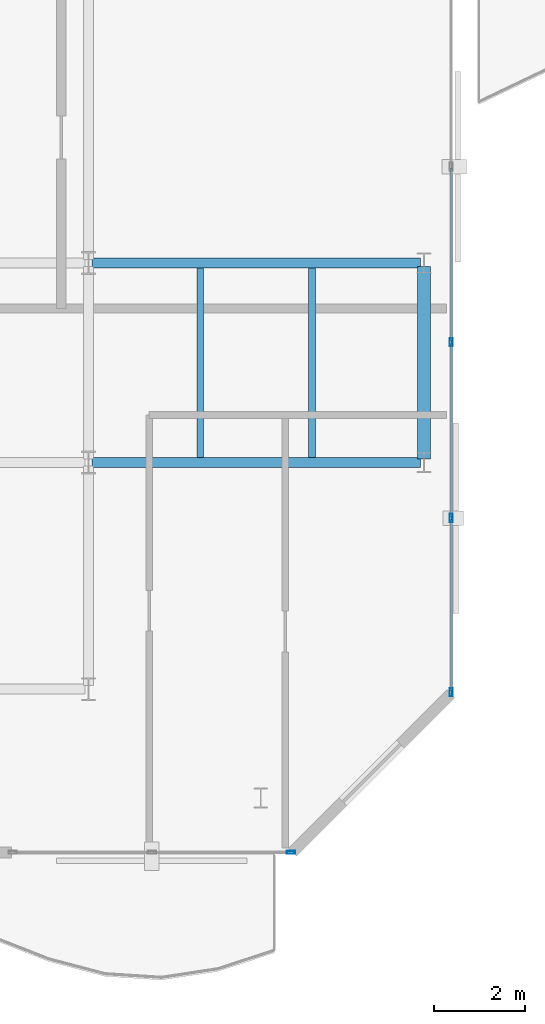
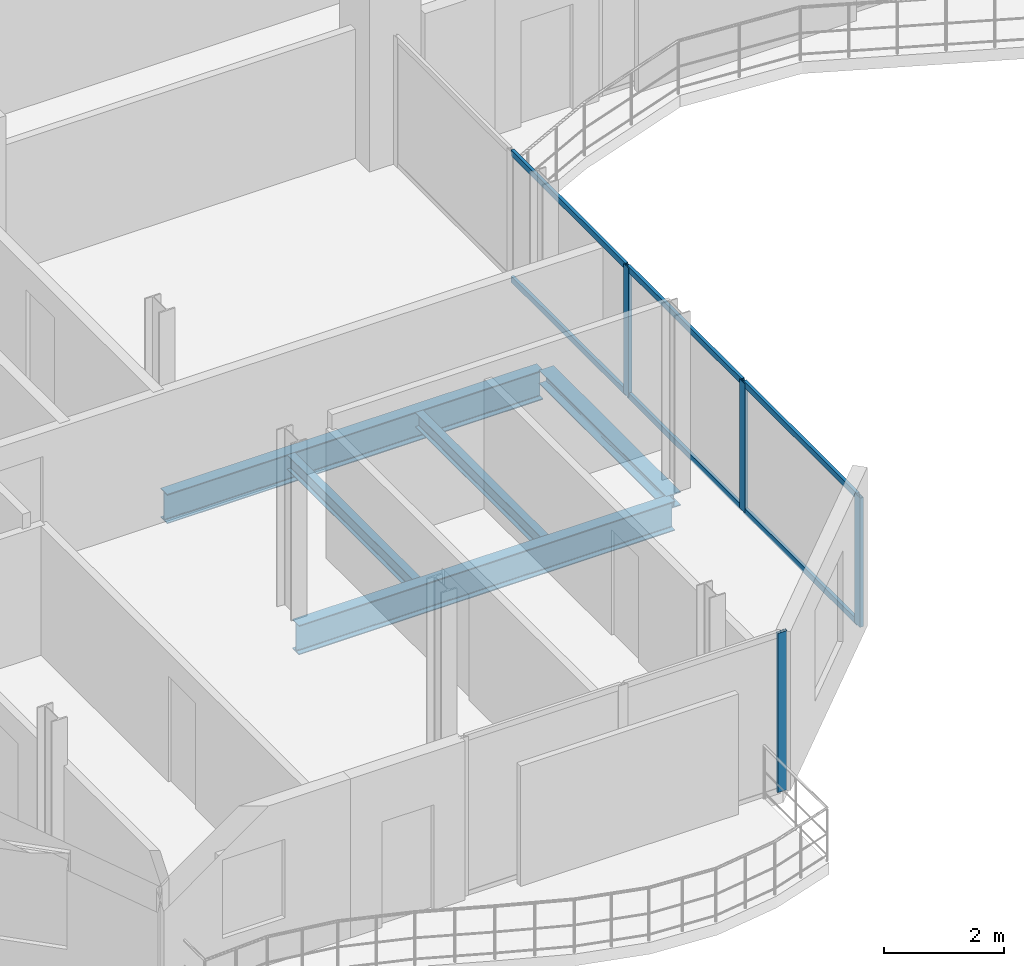
# One storey, part 6 of 23: 10 members, 5 beams, 2 elements without a shape of their own.
"""IFC4 building model written with IfcOpenShell, lengths in metres."""

from ifc_helpers import new_model, si_unit, direction, frame, origin, origin_2d, place, context, subcontext, project, spatial, hollow_rectangle, i_section, extrude, material, layer, layer_set, material_profile, profile_set, type_object, element, aggregate, save


model = new_model("IFC4")

# Units and contexts
model_context = context("Model", 3, precision=1e-05, world=origin(), true_north=direction((0.0, 1.0)))
body_context = subcontext(model_context, "Body", "Model", "MODEL_VIEW")
ifc_project = project(units=[si_unit("LENGTHUNIT", "METRE"), si_unit("AREAUNIT", "SQUARE_METRE"), si_unit("VOLUMEUNIT", "CUBIC_METRE"), si_unit("PLANEANGLEUNIT", "RADIAN"), si_unit("MASSUNIT", "GRAM", prefix="KILO")], contexts=[model_context])

# Site, building, storey
site_placement = place(None, origin())
site = spatial("IfcSite", under=ifc_project, at=site_placement, CompositionType="ELEMENT")
building_placement = place(site_placement, origin())
building = spatial("IfcBuilding", under=site, at=building_placement, Name="Catumbela Crestline Tower", CompositionType="ELEMENT")
storey_placement = place(building_placement, frame((0.0, 0.0, 204.6)))
storey = spatial("IfcBuildingStorey", under=building, at=storey_placement, Name="L53", CompositionType="ELEMENT", Elevation=204.6)

# Beams
ifc_material_1 = material(Name="Structural steel S355J2", Category="steel")
ifc_material_profile_1 = material_profile(ifc_material_1, i_section(OverallWidth=0.22, OverallDepth=0.6, WebThickness=0.012, FlangeThickness=0.019, FilletRadius=0.024, at=origin_2d()), Name="IPE 600")
ifc_profile_set_1 = profile_set([ifc_material_profile_1], Name="Structural steel S355J2")
beam_type_1 = type_object("IfcBeamType", Name="BG-IPE600", PredefinedType="BEAM", material=ifc_profile_set_1)
for number, where, z_axis, x_axis, name in (
    (1, (16.08, 13.6, -0.56), (1.0, 0.0, 0.0), (0.0, 1.0, 0.0), "L53 Beam BM-L53-WEW34"),
    (2, (16.08, 18.0, -0.56), (1.0, 0.0, 0.0), (0.0, 1.0, 0.0), "L53 Beam BM-L53-WEW36"),
):
    element("IfcBeam", number, at=place(storey_placement, frame(where, z_axis=z_axis, x_axis=x_axis)), inside=storey, type_object=beam_type_1, Name=name, PredefinedType="BEAM", context=body_context, shape_type="SweptSolid", body=[
        extrude(i_section(OverallWidth=0.22, OverallDepth=0.6, WebThickness=0.012, FlangeThickness=0.019, FilletRadius=0.024, at=origin_2d()), origin(), (0.0, 0.0, 1.0), 7.24),
    ])
ifc_material_profile_2 = material_profile(ifc_material_1, i_section(OverallWidth=0.15, OverallDepth=0.3, WebThickness=0.0071, FlangeThickness=0.0107, FilletRadius=0.015, at=origin_2d()), Name="IPE 300")
ifc_profile_set_2 = profile_set([ifc_material_profile_2], Name="Structural steel S355J2")
beam_type_2 = type_object("IfcBeamType", Name="BJ-IPE300", PredefinedType="JOIST", material=ifc_profile_set_2)
for number, where, z_axis, x_axis, name in (
    (3, (18.467, 13.71, -0.41), (0.0, 1.0, 0.0), (-1.0, 0.0, 0.0), "L53 Joist JS-L53-WG48"),
    (4, (20.933, 13.71, -0.41), (0.0, 1.0, 0.0), (-1.0, 0.0, 0.0), "L53 Joist JS-L53-WG49"),
):
    element("IfcBeam", number, at=place(storey_placement, frame(where, z_axis=z_axis, x_axis=x_axis)), inside=storey, type_object=beam_type_2, Name=name, PredefinedType="JOIST", context=body_context, shape_type="SweptSolid", body=[
        extrude(i_section(OverallWidth=0.15, OverallDepth=0.3, WebThickness=0.0071, FlangeThickness=0.0107, FilletRadius=0.015, at=origin_2d()), origin(), (0.0, 0.0, 1.0), 4.18),
    ])

# Curtain wall, member
ifc_material_2 = material(Name="Aluminium alloy AW-6060-T66", Category="aluminium")
ifc_layer = layer(ifc_material_2, 0.18, Name="Aluminium alloy AW-6060-T66")
ifc_layer_set = layer_set([ifc_layer], Name="Aluminium alloy AW-6060-T66")
curtain_wall_type = type_object("IfcCurtainWallType", Name="CWU-Z3", PredefinedType="USERDEFINED", material=ifc_layer_set)
curtain_wall_1_placement = place(storey_placement, origin())
curtain_wall_1 = element("IfcCurtainWall", 5, at=curtain_wall_1_placement, inside=storey, type_object=curtain_wall_type, Name="L53 Unitised Curtain Wall CW-L53-E0S2", ObjectType="UNITISED", PredefinedType="USERDEFINED")
ifc_material_profile_3 = material_profile(ifc_material_2, hollow_rectangle(XDim=0.065, YDim=0.18, WallThickness=0.004, at=origin_2d()), Name="ALU 180x65x4")
ifc_profile_set_3 = profile_set([ifc_material_profile_3], Name="Aluminium alloy AW-6060-T66")
member_type_1 = type_object("IfcMemberType", Name="MUL-180X65", PredefinedType="MULLION", material=ifc_profile_set_3)
member_1_placement = place(storey_placement, frame((20.4675, 5.0, 0.0), z_axis=(0.0, 0.0, 1.0), x_axis=(0.0, 1.0, 0.0)))
member_1 = element("IfcMember", 6, at=member_1_placement, type_object=member_type_1, Name="CWU-Z3 mullion 3", PredefinedType="MULLION", context=body_context, shape_type="SweptSolid", body=[
    extrude(hollow_rectangle(XDim=0.065, YDim=0.18, WallThickness=0.004, at=origin_2d()), origin(), (0.0, 0.0, 1.0), 3.24),
])
aggregate(curtain_wall_1, [member_1])

# Curtain wall, members
curtain_wall_2_placement = place(storey_placement, origin())
curtain_wall_2 = element("IfcCurtainWall", 7, at=curtain_wall_2_placement, inside=storey, type_object=curtain_wall_type, Name="L53 Unitised Curtain Wall CW-L53-E2S1", ObjectType="UNITISED", PredefinedType="USERDEFINED")
member_2_placement = place(storey_placement, frame((24.0, 8.5325, 0.0), z_axis=(0.0, 0.0, 1.0), x_axis=(-1.0, 0.0, 0.0)))
member_2 = element("IfcMember", 8, at=member_2_placement, type_object=member_type_1, Name="CWU-Z3 mullion 1", PredefinedType="MULLION", context=body_context, shape_type="SweptSolid", body=[
    extrude(hollow_rectangle(XDim=0.065, YDim=0.18, WallThickness=0.004, at=origin_2d()), origin(), (0.0, 0.0, 1.0), 2.63),
])
member_3_placement = place(storey_placement, frame((24.0, 12.375, 0.0), z_axis=(0.0, 0.0, 1.0), x_axis=(-1.0, 0.0, 0.0)))
member_3 = element("IfcMember", 9, at=member_3_placement, type_object=member_type_1, Name="CWU-Z3 mullion 2", PredefinedType="MULLION", context=body_context, shape_type="SweptSolid", body=[
    extrude(hollow_rectangle(XDim=0.065, YDim=0.18, WallThickness=0.004, at=origin_2d()), origin(), (0.0, 0.0, 1.0), 2.63),
])
member_4_placement = place(storey_placement, frame((24.0, 16.25, 0.0), z_axis=(0.0, 0.0, 1.0), x_axis=(-1.0, 0.0, 0.0)))
member_4 = element("IfcMember", 10, at=member_4_placement, type_object=member_type_1, Name="CWU-Z3 mullion 3", PredefinedType="MULLION", context=body_context, shape_type="SweptSolid", body=[
    extrude(hollow_rectangle(XDim=0.065, YDim=0.18, WallThickness=0.004, at=origin_2d()), origin(), (0.0, 0.0, 1.0), 2.63),
])

# Beam
ifc_material_profile_4 = material_profile(ifc_material_1, i_section(OverallWidth=0.28, OverallDepth=0.28, WebThickness=0.0105, FlangeThickness=0.018, FilletRadius=0.024, at=origin_2d()), Name="HEB 280")
ifc_profile_set_4 = profile_set([ifc_material_profile_4], Name="Structural steel S355J2")
beam_type_3 = type_object("IfcBeamType", Name="BS-HEB280", PredefinedType="SPANDREL", material=ifc_profile_set_4)
beam_placement = place(storey_placement, frame((23.4, 13.68, -0.4), z_axis=(0.0, 1.0, 0.0), x_axis=(-1.0, 0.0, 0.0)))
element("IfcBeam", 11, at=beam_placement, inside=storey, type_object=beam_type_3, Name="L53 Spandrel SP-L53-WNS43", PredefinedType="SPANDREL", context=body_context, shape_type="SweptSolid", body=[
    extrude(i_section(OverallWidth=0.28, OverallDepth=0.28, WebThickness=0.0105, FlangeThickness=0.018, FilletRadius=0.024, at=origin_2d()), origin(), (0.0, 0.0, 1.0), 4.24),
])

# Member
ifc_material_profile_5 = material_profile(ifc_material_2, hollow_rectangle(XDim=0.06, YDim=0.12, WallThickness=0.0035, at=origin_2d()), Name="ALU 120x60x3.5")
ifc_profile_set_5 = profile_set([ifc_material_profile_5], Name="Aluminium alloy AW-6060-T66")
member_type_2 = type_object("IfcMemberType", Name="TRN-120X60", PredefinedType="USERDEFINED", material=ifc_profile_set_5)
member_5_placement = place(storey_placement, frame((24.0, 8.565, 0.03), z_axis=(0.0, 1.0, 0.0), x_axis=(-1.0, 0.0, 0.0)))
member_5 = element("IfcMember", 12, at=member_5_placement, type_object=member_type_2, Name="CWU-Z3 transom 1.1", ObjectType="TRANSOM", PredefinedType="USERDEFINED", context=body_context, shape_type="SweptSolid", body=[
    extrude(hollow_rectangle(XDim=0.06, YDim=0.12, WallThickness=0.0035, at=origin_2d()), origin(), (0.0, 0.0, 1.0), 3.7775),
])

member_6_placement = place(storey_placement, frame((24.0, 8.565, 2.6), z_axis=(0.0, 1.0, 0.0), x_axis=(-1.0, 0.0, 0.0)))
member_6 = element("IfcMember", 13, at=member_6_placement, type_object=member_type_2, Name="CWU-Z3 transom 1.2", ObjectType="TRANSOM", PredefinedType="USERDEFINED", context=body_context, shape_type="SweptSolid", body=[
    extrude(hollow_rectangle(XDim=0.06, YDim=0.12, WallThickness=0.0035, at=origin_2d()), origin(), (0.0, 0.0, 1.0), 3.7775),
])

member_7_placement = place(storey_placement, frame((24.0, 12.4075, 0.03), z_axis=(0.0, 1.0, 0.0), x_axis=(-1.0, 0.0, 0.0)))
member_7 = element("IfcMember", 14, at=member_7_placement, type_object=member_type_2, Name="CWU-Z3 transom 2.1", ObjectType="TRANSOM", PredefinedType="USERDEFINED", context=body_context, shape_type="SweptSolid", body=[
    extrude(hollow_rectangle(XDim=0.06, YDim=0.12, WallThickness=0.0035, at=origin_2d()), origin(), (0.0, 0.0, 1.0), 3.81),
])

member_8_placement = place(storey_placement, frame((24.0, 12.4075, 2.6), z_axis=(0.0, 1.0, 0.0), x_axis=(-1.0, 0.0, 0.0)))
member_8 = element("IfcMember", 15, at=member_8_placement, type_object=member_type_2, Name="CWU-Z3 transom 2.2", ObjectType="TRANSOM", PredefinedType="USERDEFINED", context=body_context, shape_type="SweptSolid", body=[
    extrude(hollow_rectangle(XDim=0.06, YDim=0.12, WallThickness=0.0035, at=origin_2d()), origin(), (0.0, 0.0, 1.0), 3.81),
])

member_9_placement = place(storey_placement, frame((24.0, 16.2825, 0.03), z_axis=(0.0, 1.0, 0.0), x_axis=(-1.0, 0.0, 0.0)))
member_9 = element("IfcMember", 16, at=member_9_placement, type_object=member_type_2, Name="CWU-Z3 transom 3.1", ObjectType="TRANSOM", PredefinedType="USERDEFINED", context=body_context, shape_type="SweptSolid", body=[
    extrude(hollow_rectangle(XDim=0.06, YDim=0.12, WallThickness=0.0035, at=origin_2d()), origin(), (0.0, 0.0, 1.0), 3.81),
])

member_10_placement = place(storey_placement, frame((24.0, 16.2825, 2.6), z_axis=(0.0, 1.0, 0.0), x_axis=(-1.0, 0.0, 0.0)))
member_10 = element("IfcMember", 17, at=member_10_placement, type_object=member_type_2, Name="CWU-Z3 transom 3.2", ObjectType="TRANSOM", PredefinedType="USERDEFINED", context=body_context, shape_type="SweptSolid", body=[
    extrude(hollow_rectangle(XDim=0.06, YDim=0.12, WallThickness=0.0035, at=origin_2d()), origin(), (0.0, 0.0, 1.0), 3.81),
])

aggregate(curtain_wall_2, [member_2, member_3, member_4, member_5, member_6, member_7, member_8, member_9, member_10])

save(model, "model.ifc")
